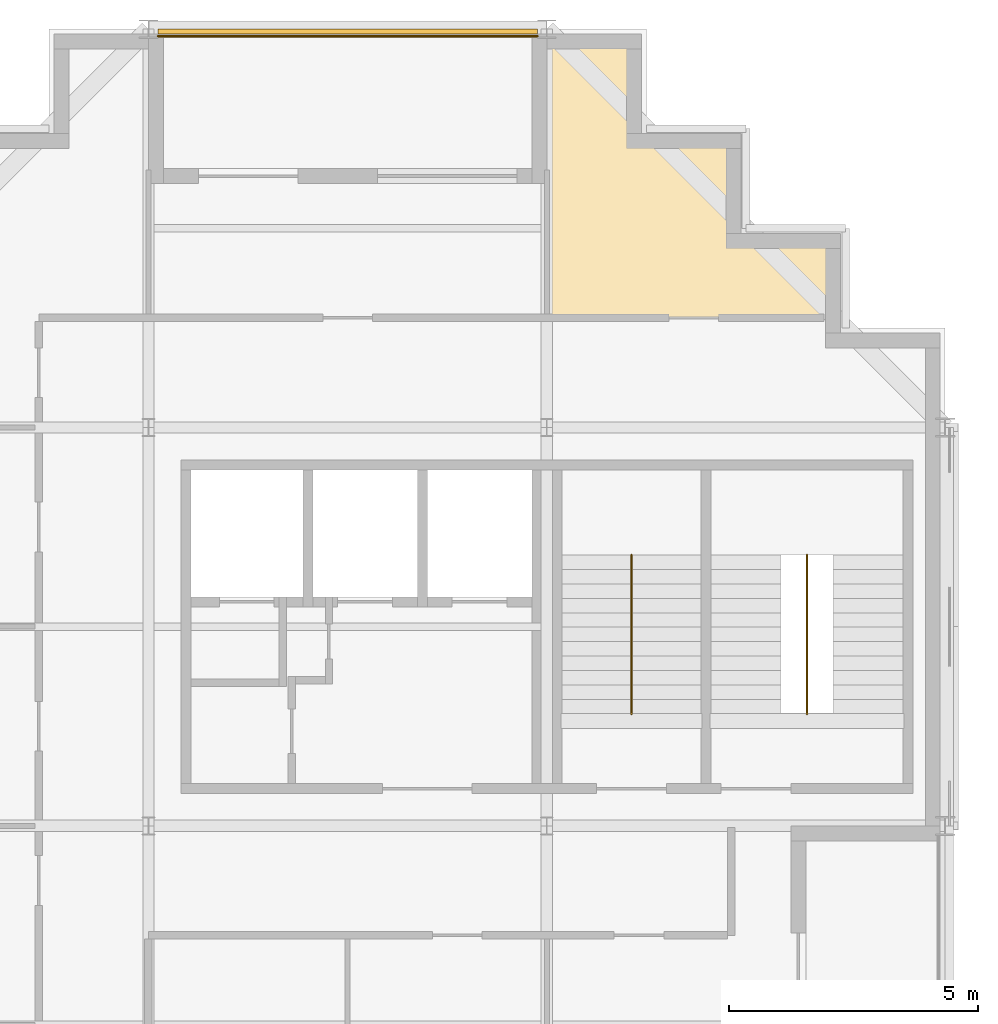
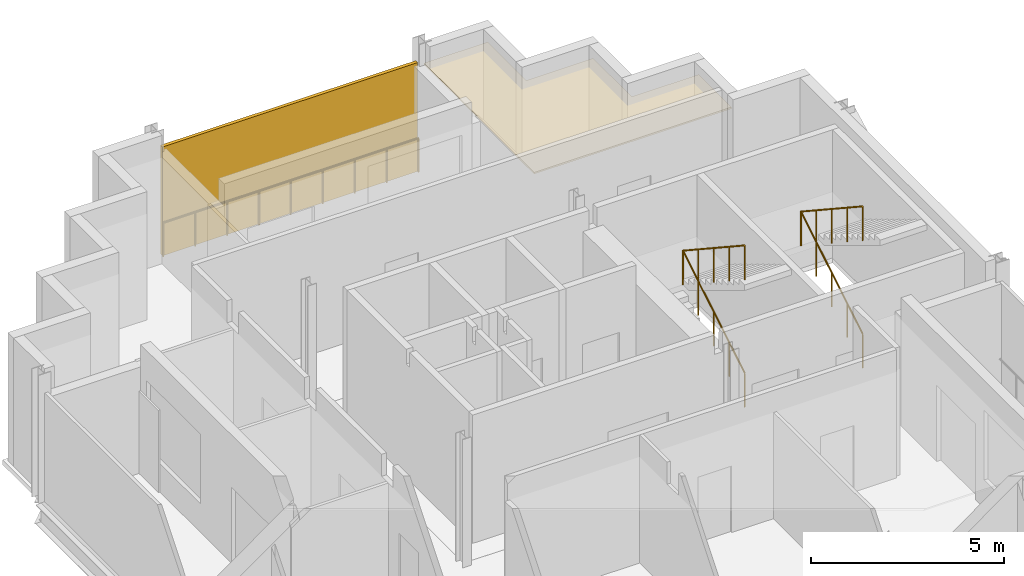
# One storey, part 12 of 13: 3 railings, 1 covering, 1 shading device.
"""IFC4 building model written with IfcOpenShell, lengths in metres."""

from ifc_helpers import new_model, si_unit, direction, frame, origin, origin_2d, place, context, subcontext, project, spatial, polyline, rectangle, circle, outline, extrude, material, layer, layer_set, type_object, element, save


model = new_model("IFC4")

# Units and contexts
model_context = context("Model", 3, precision=1e-05, world=origin(), true_north=direction((0.0, 1.0)))
body_context = subcontext(model_context, "Body", "Model", "MODEL_VIEW")
ifc_project = project(units=[si_unit("LENGTHUNIT", "METRE"), si_unit("AREAUNIT", "SQUARE_METRE"), si_unit("VOLUMEUNIT", "CUBIC_METRE"), si_unit("PLANEANGLEUNIT", "RADIAN"), si_unit("MASSUNIT", "GRAM", prefix="KILO")], contexts=[model_context])

# Site, building, storey
site_placement = place(None, origin())
site = spatial("IfcSite", under=ifc_project, at=site_placement, CompositionType="ELEMENT")
building_placement = place(site_placement, origin())
building = spatial("IfcBuilding", under=site, at=building_placement, Name="Immortelle Media Tower", CompositionType="ELEMENT")
storey_placement = place(building_placement, frame((0.0, 0.0, 170.39990234375)))
storey = spatial("IfcBuildingStorey", under=building, at=storey_placement, Name="L35", CompositionType="ELEMENT", Elevation=170.39990234375)

# Railing
ifc_material_1 = material(Name="Powder-coated aluminium fretwork panel, laminated glass backing", Category="aluminium")
railing_type_1 = type_object("IfcRailingType", Name="Fretwork balustrade 1100", PredefinedType="BALUSTRADE", material=ifc_material_1)
railing_placement = place(storey_placement, frame((15.8134765625, 47.860107421875, 0.0)))
element("IfcRailing", 1, at=railing_placement, inside=storey, type_object=railing_type_1, Name="Fretwork balustrade L35 N0", PredefinedType="BALUSTRADE", context=body_context, shape_type="SweptSolid", body=[
    extrude(circle(Radius=0.02490234375, at=origin_2d()), frame((0.0, 0.0, 1.0751953125), z_axis=(-1.0, 0.0, 0.0), x_axis=(0.0, -1.0, 0.0)), (0.0, 0.0, 1.0), 7.626953125),
    extrude(circle(Radius=0.02001953125, at=origin_2d()), origin(), (0.0, 0.0, 1.0), 1.050048828125),
    extrude(circle(Radius=0.02001953125, at=origin_2d()), frame((-0.953369140625, 0.0, 0.0)), (0.0, 0.0, 1.0), 1.050048828125),
    extrude(circle(Radius=0.02001953125, at=origin_2d()), frame((-1.90673828125, 0.0, 0.0)), (0.0, 0.0, 1.0), 1.050048828125),
    extrude(circle(Radius=0.02001953125, at=origin_2d()), frame((-2.860107421875, 0.0, 0.0)), (0.0, 0.0, 1.0), 1.050048828125),
    extrude(circle(Radius=0.02001953125, at=origin_2d()), frame((-3.8134765625, 0.0, 0.0)), (0.0, 0.0, 1.0), 1.050048828125),
    extrude(circle(Radius=0.02001953125, at=origin_2d()), frame((-4.766845703125, 0.0, 0.0)), (0.0, 0.0, 1.0), 1.050048828125),
    extrude(circle(Radius=0.02001953125, at=origin_2d()), frame((-5.72021484375, 0.0, 0.0)), (0.0, 0.0, 1.0), 1.050048828125),
    extrude(circle(Radius=0.02001953125, at=origin_2d()), frame((-6.673583984375, 0.0, 0.0)), (0.0, 0.0, 1.0), 1.050048828125),
    extrude(circle(Radius=0.02001953125, at=origin_2d()), frame((-7.626953125, 0.0, 0.0)), (0.0, 0.0, 1.0), 1.050048828125),
])

# Shading device
ifc_material_2 = material(Name="Pale aluminium louvre blades", Category="aluminium")
ifc_layer_1 = layer(ifc_material_2, 0.10009765625)
ifc_layer_set_1 = layer_set([ifc_layer_1], Name="Pale aluminium louvre blades")
shading_device_type = type_object("IfcShadingDeviceType", Name="Jalousie screen 100", PredefinedType="JALOUSIE", material=ifc_layer_set_1)
shading_device_placement = place(storey_placement, frame((12.0, 47.949951171875, 0.0), z_axis=(0.0, 0.0, 1.0), x_axis=(-1.0, 0.0, 0.0)))
element("IfcShadingDevice", 2, at=shading_device_placement, inside=storey, type_object=shading_device_type, Name="Jalousie screen L35 N0", PredefinedType="JALOUSIE", context=body_context, shape_type="SweptSolid", body=[
    extrude(rectangle(XDim=7.626953125, YDim=0.10009765625, at=origin_2d()), origin(), (0.0, 0.0, 1.0), 3.43798828125),
])

# Railings
ifc_material_3 = material(Name="Stainless steel AISI 316", Category="steel")
railing_type_2 = type_object("IfcRailingType", Name="Stair guard 1100", PredefinedType="GUARDRAIL", material=ifc_material_3)
for number, where, name in (
    (3, (17.699951171875, 34.25, 0.175048828125), "Stair guard NW1"),
    (4, (21.22509765625, 34.25, 0.175048828125), "Stair guard NW2"),
):
    element("IfcRailing", number, at=place(storey_placement, frame(where)), inside=storey, type_object=railing_type_2, Name=name, PredefinedType="GUARDRAIL", context=body_context, shape_type="SweptSolid", body=[
        extrude(circle(Radius=0.02392578125, at=origin_2d()), frame((0.0, 0.0, 1.076171875), z_axis=(0.0, 0.856177665481, 0.516681531633), x_axis=(-1.0, 0.0, 0.0)), (0.0, 0.0, 1.0), 3.725830078125),
        extrude(circle(Radius=0.02392578125, at=origin_2d()), frame((0.0, 3.18994140625, 3.0009765625), z_axis=(0.0, -0.835242474824, 0.549881812983), x_axis=(1.0, 0.0, 0.0)), (0.0, 0.0, 1.0), 3.819091796875),
        extrude(circle(Radius=0.02099609375, at=origin_2d()), origin(), (0.0, 0.0, 1.0), 1.052001953125),
        extrude(circle(Radius=0.02099609375, at=origin_2d()), frame((0.0, 0.79736328125, 0.481201171875)), (0.0, 0.0, 1.0), 1.052001953125),
        extrude(circle(Radius=0.02099609375, at=origin_2d()), frame((0.0, 1.594970703125, 0.96240234375)), (0.0, 0.0, 1.0), 1.052001953125),
        extrude(circle(Radius=0.02099609375, at=origin_2d()), frame((0.0, 2.392578125, 1.44384765625)), (0.0, 0.0, 1.0), 1.052001953125),
        extrude(circle(Radius=0.02099609375, at=origin_2d()), frame((0.0, 3.18994140625, 1.925048828125)), (0.0, 0.0, 1.0), 1.052001953125),
        extrude(circle(Radius=0.02099609375, at=origin_2d()), frame((0.0, 2.392578125, 2.4501953125)), (0.0, 0.0, 1.0), 1.052001953125),
        extrude(circle(Radius=0.02099609375, at=origin_2d()), frame((0.0, 1.594970703125, 2.97509765625)), (0.0, 0.0, 1.0), 1.052001953125),
        extrude(circle(Radius=0.02099609375, at=origin_2d()), frame((0.0, 0.79736328125, 3.5)), (0.0, 0.0, 1.0), 1.052001953125),
        extrude(circle(Radius=0.02099609375, at=origin_2d()), frame((0.0, 0.0, 4.025146484375)), (0.0, 0.0, 1.0), 1.052001953125),
    ])

# Covering
ifc_material_4 = material(Name="Mineral fibre tile ceiling")
ifc_layer_2 = layer(ifc_material_4, 0.050048828125)
ifc_layer_set_2 = layer_set([ifc_layer_2], Name="Mineral fibre tile ceiling")
covering_type = type_object("IfcCoveringType", Name="Suspended ceiling 50", PredefinedType="CEILING", material=ifc_layer_set_2)
covering_placement = place(storey_placement, frame((0.0, 0.0, 3.30419921875)))
element("IfcCovering", 5, at=covering_placement, inside=storey, type_object=covering_type, Name="Ceiling L35-023", PredefinedType="CEILING", context=body_context, shape_type="SweptSolid", body=[
    extrude(outline(polyline([(17.89990234375, 45.89990234375), (19.89990234375, 45.89990234375), (19.89990234375, 43.89990234375), (21.89990234375, 43.89990234375), (21.89990234375, 42.199951171875), (16.0, 42.199951171875), (16.0, 45.199951171875), (16.0, 47.89990234375), (17.89990234375, 47.89990234375), (17.89990234375, 45.89990234375)])), origin(), (0.0, 0.0, 1.0), 0.0498046875),
])

save(model, "model.ifc")
